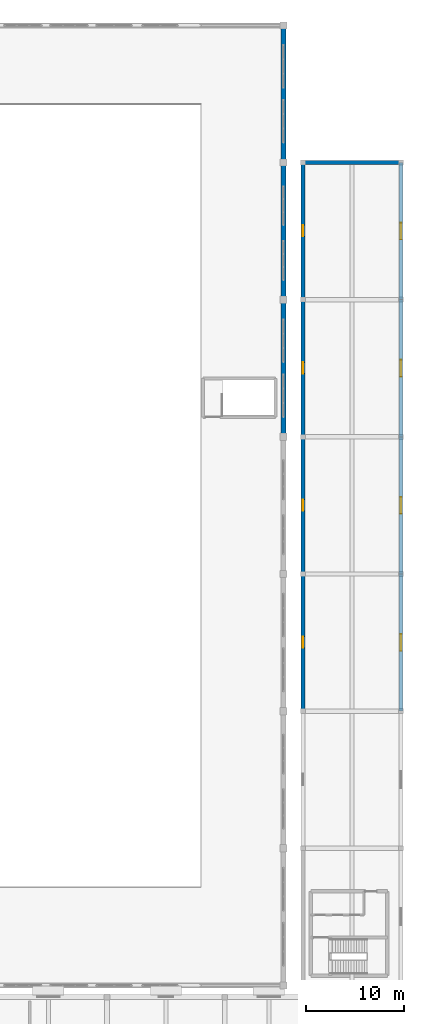
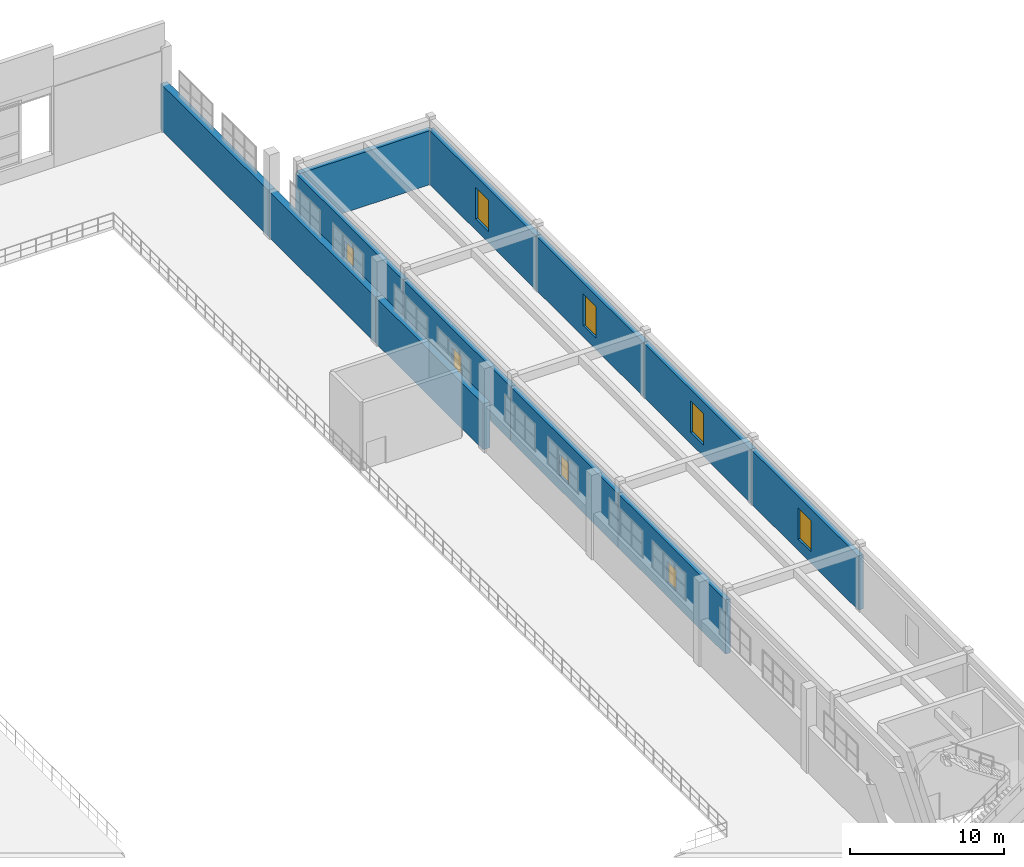
# One storey, part 181 of 197: 12 walls, 8 windows, 8 openings.
"""IFC4 building model written with IfcOpenShell, lengths in metres."""

import ifcopenshell
import ifcopenshell.guid

model = None  # the IFC model being written
_history = None  # IfcOwnerHistory: only IFC2X3 demands one
_inside = {}  # id of a spatial element -> (the spatial element, [elements in it])
_under = {}  # id of a project, library or spatial element -> (it, [spatial elements below it])
_declared = {}  # id of a project -> (the project, [libraries it declares])
_typed = {}  # id of a type object -> (the type object, [elements of that type])
_made_of = {}  # id of a material, layer set ... -> (it, [elements and type objects made of it])


def new_model(schema):
    """Start an empty IFC model of exactly this schema.

    Asked for "IFC4X3", IfcOpenShell would pick the latest addendum, in which some entities
    have other attributes; the version numbers below select the first issue.
    IFC2X3 requires an IfcOwnerHistory on every rooted entity: one is made here for all.
    """
    global model, _history
    if schema == "IFC4X3":
        model = ifcopenshell.file(schema_version=(4, 3, 0, 0))
    else:
        model = ifcopenshell.file(schema=schema)
    _inside.clear()
    _under.clear()
    _declared.clear()
    _typed.clear()
    _made_of.clear()
    _history = None
    if model.schema == "IFC2X3":
        org = make("IfcOrganization", Name="unknown")
        user = make(
            "IfcPersonAndOrganization",
            ThePerson=make("IfcPerson", FamilyName="unknown"),
            TheOrganization=org,
        )
        app = make(
            "IfcApplication",
            ApplicationDeveloper=org,
            Version="unknown",
            ApplicationFullName="unknown",
            ApplicationIdentifier="unknown",
        )
        _history = make(
            "IfcOwnerHistory",
            OwningUser=user,
            OwningApplication=app,
            ChangeAction="ADDED",
            CreationDate=0,
        )
    return model


def make(cls, **values):
    """One entity of the class cls with the attributes given. An attribute that is None is left unset."""
    return model.create_entity(
        cls, **{name: value for name, value in values.items() if value is not None}
    )


def rooted(cls, **values):
    """An entity with a GlobalId (a new one), such as an element, a storey or a relation."""
    return make(cls, GlobalId=ifcopenshell.guid.new(), OwnerHistory=_history, **values)


def si_unit(unit_type, name, prefix=None):
    """IfcSIUnit, for example si_unit("LENGTHUNIT", "METRE", prefix="MILLI")."""
    return make("IfcSIUnit", UnitType=unit_type, Prefix=prefix, Name=name)


def derived_unit(unit_type, elements):
    """IfcDerivedUnit: a product of units, each with its exponent."""
    return make(
        "IfcDerivedUnit",
        Elements=[
            make("IfcDerivedUnitElement", Unit=unit, Exponent=power)
            for unit, power in elements
        ],
        UnitType=unit_type,
    )


def assignment(units):
    """IfcUnitAssignment: the units of a project."""
    return None if units is None else make("IfcUnitAssignment", Units=units)


def point(xyz):
    """IfcCartesianPoint."""
    return None if xyz is None else make("IfcCartesianPoint", Coordinates=xyz)


def direction(xyz):
    """IfcDirection."""
    return None if xyz is None else make("IfcDirection", DirectionRatios=xyz)


def frame(location, z_axis=None, x_axis=None):
    """IfcAxis2Placement3D, a coordinate frame: its origin and axes. An axis left out is left unset."""
    return make(
        "IfcAxis2Placement3D",
        Location=point(location),
        Axis=direction(z_axis),
        RefDirection=direction(x_axis),
    )


def frame_2d(location, x_axis=None):
    """IfcAxis2Placement2D, a coordinate frame in the plane: its origin and x axis."""
    return make(
        "IfcAxis2Placement2D", Location=point(location), RefDirection=direction(x_axis)
    )


def origin():
    """The frame at (0, 0, 0) with its axes left unset."""
    return frame((0.0, 0.0, 0.0))


def place(relative_to, where):
    """IfcLocalPlacement: puts the frame where relative to a parent placement (None: the world)."""
    return make(
        "IfcLocalPlacement", PlacementRelTo=relative_to, RelativePlacement=where
    )


def context(
    kind, dimensions, precision=None, world=None, true_north=None, identifier=None
):
    """IfcGeometricRepresentationContext, for example the 3D "Model" context."""
    return make(
        "IfcGeometricRepresentationContext",
        ContextIdentifier=identifier,
        ContextType=kind,
        CoordinateSpaceDimension=dimensions,
        Precision=precision,
        WorldCoordinateSystem=world,
        TrueNorth=true_north,
    )


def subcontext(parent, identifier, kind, view, scale=None):
    """IfcGeometricRepresentationSubContext, for example "Body" below "Model"."""
    return make(
        "IfcGeometricRepresentationSubContext",
        ContextIdentifier=identifier,
        ContextType=kind,
        ParentContext=parent,
        TargetScale=scale,
        TargetView=view,
    )


def project(units=None, contexts=None):
    """IfcProject with its units and contexts."""
    return rooted(
        "IfcProject",
        Name="project",
        RepresentationContexts=contexts,
        UnitsInContext=assignment(units),
    )


def spatial(cls, under=None, at=None, **own):
    """A site, building, storey or space (cls), placed at a placement, below another one or the project."""
    s = rooted(cls, ObjectPlacement=at, **own)
    if under is not None:
        _under.setdefault(under.id(), (under, []))[1].append(s)
    return s


def profile(cls, at=None, kind="AREA", **sizes):
    """A parametric profile (cls). Its sizes go by their IFC names, for example OverallWidth=200.0."""
    return make(cls, ProfileType=kind, Position=at, **sizes)


def rectangle(**sizes):
    """IfcRectangleProfileDef."""
    return profile("IfcRectangleProfileDef", **sizes)


def extrude(swept, where, along, depth):
    """IfcExtrudedAreaSolid: the profile swept, set in the frame where, extruded along a direction by depth."""
    return make(
        "IfcExtrudedAreaSolid",
        SweptArea=swept,
        Position=where,
        ExtrudedDirection=direction(along),
        Depth=depth,
    )


def shape(context_of_items, identifier, shape_type, items):
    """IfcShapeRepresentation: the items that make up one representation, for example the "Body"."""
    return make(
        "IfcShapeRepresentation",
        ContextOfItems=context_of_items,
        RepresentationIdentifier=identifier,
        RepresentationType=shape_type,
        Items=items,
    )


def material(Name=None, Category=None):
    """IfcMaterial."""
    return make("IfcMaterial", Name=Name, Category=Category)


def layer(
    of_material, thickness, ventilated=None, Name=None, Category=None, Priority=None
):
    """IfcMaterialLayer: one layer of a wall or slab, of a material (None: an air gap)."""
    return make(
        "IfcMaterialLayer",
        Material=of_material,
        LayerThickness=thickness,
        IsVentilated=ventilated,
        Name=Name,
        Category=Category,
        Priority=Priority,
    )


def layer_set(layers, Name=None):
    """IfcMaterialLayerSet."""
    return make("IfcMaterialLayerSet", MaterialLayers=layers, LayerSetName=Name)


def made_of(thing, what):
    """Note that an element or type object is made of a material, layer set ...; save() writes the relation."""
    if what is not None:
        _made_of.setdefault(what.id(), (what, []))[1].append(thing)
    return thing


def type_object(cls, material=None, **own):
    """A type object (cls), such as IfcWallType, which elements share."""
    return made_of(rooted(cls, **own), material)


def element(
    cls,
    number,
    at=None,
    inside=None,
    cuts=None,
    type_object=None,
    material=None,
    context=None,
    identifier="Body",
    shape_type=None,
    held_by="IfcProductDefinitionShape",
    body=None,
    shapes=None,
    **own,
):
    """One element of the class cls, such as IfcWall. Its Tag is "e" and its number.

    at: its placement. inside: the storey or other place that contains it. cuts: it is an
    opening in that element (IfcRelVoidsElement). A single representation is given by context,
    identifier, shape_type and body (its items); several are given by shapes. held_by: the class
    of the entity that holds the representations. save() writes the other relations.
    """
    e = rooted(cls, Tag="e%d" % number, ObjectPlacement=at, **own)
    if body is not None:
        shapes = [shape(context, identifier, shape_type, body)]
    if shapes is not None:
        e.Representation = make(held_by, Representations=shapes)
    if inside is not None:
        _inside.setdefault(inside.id(), (inside, []))[1].append(e)
    if cuts is not None:
        rooted(
            "IfcRelVoidsElement", RelatingBuildingElement=cuts, RelatedOpeningElement=e
        )
    if type_object is not None:
        _typed.setdefault(type_object.id(), (type_object, []))[1].append(e)
    return made_of(e, material)


def fill(opening, filler):
    """IfcRelFillsElement: the door or window that sits in an opening."""
    return rooted(
        "IfcRelFillsElement",
        RelatingOpeningElement=opening,
        RelatedBuildingElement=filler,
    )


def aggregate(whole, parts):
    """IfcRelAggregates: a whole, such as a stair, and the parts it consists of."""
    return rooted("IfcRelAggregates", RelatingObject=whole, RelatedObjects=parts)


def save(model, path):
    """Write the relations noted so far, then the file.

    IfcRelAggregates (storeys below a building ...), IfcRelContainedInSpatialStructure (elements
    in a storey), IfcRelDefinesByType, IfcRelAssociatesMaterial and IfcRelDeclares: one each for
    every whole, place, type object, material and project.
    """
    for whole, parts in _under.values():
        aggregate(whole, parts)
    for where, things in _inside.values():
        rooted(
            "IfcRelContainedInSpatialStructure",
            RelatedElements=things,
            RelatingStructure=where,
        )
    for kind, things in _typed.values():
        rooted("IfcRelDefinesByType", RelatedObjects=things, RelatingType=kind)
    for what, things in _made_of.values():
        rooted("IfcRelAssociatesMaterial", RelatedObjects=things, RelatingMaterial=what)
    for by, libraries in _declared.values():
        rooted("IfcRelDeclares", RelatingContext=by, RelatedDefinitions=libraries)
    model.write(path)


model = new_model("IFC4")

# Units and contexts
model_context = context("Model", 3, precision=1e-05, world=origin(), true_north=direction((0.0, 1.0)))
body_context = subcontext(model_context, "Body", "Model", "MODEL_VIEW")
ifc_project = project(units=[si_unit("LENGTHUNIT", "METRE"), si_unit("AREAUNIT", "SQUARE_METRE"), si_unit("VOLUMEUNIT", "CUBIC_METRE"), si_unit("PLANEANGLEUNIT", "RADIAN"), si_unit("MASSUNIT", "GRAM", prefix="KILO"), derived_unit("THERMALTRANSMITTANCEUNIT", [(si_unit("POWERUNIT", "WATT"), 1), (si_unit("LENGTHUNIT", "METRE"), -2), (si_unit("THERMODYNAMICTEMPERATUREUNIT", "KELVIN"), -1)])], contexts=[model_context])

# Site, building, storey
site_placement = place(None, origin())
site = spatial("IfcSite", under=ifc_project, at=site_placement, CompositionType="ELEMENT")
building_placement = place(site_placement, origin())
building = spatial("IfcBuilding", under=site, at=building_placement, Name="Almenara Railside Exhibition Hall", CompositionType="ELEMENT")
storey_placement = place(building_placement, frame((0.0, 0.0, 5.39990234375)))
storey = spatial("IfcBuildingStorey", under=building, at=storey_placement, Name="L01", CompositionType="ELEMENT", Elevation=5.39990234375)

# Wall, opening, window
ifc_material_1 = material(Name="Ochre-white lime-rendered masonry over Concrete C35/45", Category="masonry")
ifc_layer_1 = layer(ifc_material_1, 0.385009765625, Name="Ochre-white lime-rendered masonry over Concrete C35/45")
ifc_layer_set_1 = layer_set([ifc_layer_1], Name="Ochre-white lime-rendered masonry over Concrete C35/45")
wall_type_1 = type_object("IfcWallType", Name="Exterior Arcade Spandrel Wall 385mm C35/45", PredefinedType="SOLIDWALL", material=ifc_layer_set_1)
wall_1_placement = place(storey_placement, frame((204.0, 62.0, 0.0), z_axis=(0.0, 0.0, 1.0), x_axis=(0.0, 1.0, 0.0)))
wall_1 = element("IfcWall", 1, at=wall_1_placement, inside=storey, type_object=wall_type_1, Name="Exterior wall 0234", PredefinedType="SOLIDWALL", context=body_context, shape_type="SweptSolid", body=[
    extrude(rectangle(XDim=14.0, YDim=0.385009765625, at=frame_2d((7.0, 0.0))), origin(), (0.0, 0.0, 1.0), 4.300048828125),
])
opening_1_placement = place(wall_1_placement, frame((6.14990234375, 0.0, 0.89990234375)))
opening_1 = element("IfcOpeningElement", 2, at=opening_1_placement, cuts=wall_1, Name="Opening W-06", PredefinedType="OPENING", context=body_context, shape_type="SweptSolid", body=[
    extrude(rectangle(XDim=1.699951171875, YDim=2.5, at=frame_2d((0.85009765625, 1.25))), frame((0.0, 0.202392578125, 0.0), z_axis=(0.0, -1.0, 0.0), x_axis=(1.0, 0.0, 0.0)), (0.0, 0.0, 1.0), 0.405029296875),
])
ifc_material_2 = material(Name="Bronze-anodised aluminium and low-E double glazing", Category="aluminium")
window_type_1 = type_object("IfcWindowType", Name="East Gallery Arched Window 1700x2500", PartitioningType="DOUBLE_PANEL_VERTICAL", PredefinedType="WINDOW", material=ifc_material_2)
window_1_placement = place(opening_1_placement, origin())
window_1 = element("IfcWindow", 3, at=window_1_placement, inside=storey, type_object=window_type_1, Name="Window 0085", OverallHeight=2.5, OverallWidth=1.699951171875, PartitioningType="DOUBLE_PANEL_VERTICAL", PredefinedType="WINDOW", context=body_context, shape_type="SweptSolid", body=[
    extrude(rectangle(XDim=1.699951171875, YDim=2.5, at=frame_2d((0.85009765625, 1.25))), frame((0.0, 0.030029296875, 0.0), z_axis=(0.0, -1.0, 0.0), x_axis=(1.0, 0.0, 0.0)), (0.0, 0.0, 1.0), 0.06005859375),
])
fill(opening_1, window_1)

wall_2_placement = place(storey_placement, frame((194.0, 76.0, 0.0), z_axis=(0.0, 0.0, 1.0), x_axis=(0.0, -1.0, 0.0)))
wall_2 = element("IfcWall", 4, at=wall_2_placement, inside=storey, type_object=wall_type_1, Name="Exterior wall 0235", PredefinedType="SOLIDWALL", context=body_context, shape_type="SweptSolid", body=[
    extrude(rectangle(XDim=14.0, YDim=0.385009765625, at=frame_2d((7.0, 0.0))), origin(), (0.0, 0.0, 1.0), 4.300048828125),
])
opening_2_placement = place(wall_2_placement, frame((6.39990234375, 0.0, 1.10009765625)))
opening_2 = element("IfcOpeningElement", 5, at=opening_2_placement, cuts=wall_2, Name="Opening W-11", PredefinedType="OPENING", context=body_context, shape_type="SweptSolid", body=[
    extrude(rectangle(XDim=1.14990234375, YDim=1.699951171875, at=frame_2d((0.574951171875, 0.85009765625))), frame((0.0, 0.202392578125, 0.0), z_axis=(0.0, -1.0, 0.0), x_axis=(1.0, 0.0, 0.0)), (0.0, 0.0, 1.0), 0.405029296875),
])
window_type_2 = type_object("IfcWindowType", Name="South Gallery Punched Window 1150x1700", PartitioningType="SINGLE_PANEL", PredefinedType="WINDOW", material=ifc_material_2)
window_2_placement = place(opening_2_placement, origin())
window_2 = element("IfcWindow", 6, at=window_2_placement, inside=storey, type_object=window_type_2, Name="Window 0086", OverallHeight=1.699951171875, OverallWidth=1.14990234375, PartitioningType="SINGLE_PANEL", PredefinedType="WINDOW", context=body_context, shape_type="SweptSolid", body=[
    extrude(rectangle(XDim=1.14990234375, YDim=1.699951171875, at=frame_2d((0.574951171875, 0.85009765625))), frame((0.0, 0.030029296875, 0.0), z_axis=(0.0, -1.0, 0.0), x_axis=(1.0, 0.0, 0.0)), (0.0, 0.0, 1.0), 0.06005859375),
])
fill(opening_2, window_2)

wall_3_placement = place(storey_placement, frame((204.0, 76.0, 0.0), z_axis=(0.0, 0.0, 1.0), x_axis=(0.0, 1.0, 0.0)))
wall_3 = element("IfcWall", 7, at=wall_3_placement, inside=storey, type_object=wall_type_1, Name="Exterior wall 0236", PredefinedType="SOLIDWALL", context=body_context, shape_type="SweptSolid", body=[
    extrude(rectangle(XDim=14.0, YDim=0.385009765625, at=frame_2d((7.0, 0.0))), origin(), (0.0, 0.0, 1.0), 4.300048828125),
])
opening_3_placement = place(wall_3_placement, frame((6.14990234375, 0.0, 0.89990234375)))
opening_3 = element("IfcOpeningElement", 8, at=opening_3_placement, cuts=wall_3, Name="Opening W-06", PredefinedType="OPENING", context=body_context, shape_type="SweptSolid", body=[
    extrude(rectangle(XDim=1.699951171875, YDim=2.5, at=frame_2d((0.85009765625, 1.25))), frame((0.0, 0.202392578125, 0.0), z_axis=(0.0, -1.0, 0.0), x_axis=(1.0, 0.0, 0.0)), (0.0, 0.0, 1.0), 0.405029296875),
])
window_3_placement = place(opening_3_placement, origin())
window_3 = element("IfcWindow", 9, at=window_3_placement, inside=storey, type_object=window_type_1, Name="Window 0087", OverallHeight=2.5, OverallWidth=1.699951171875, PartitioningType="DOUBLE_PANEL_VERTICAL", PredefinedType="WINDOW", context=body_context, shape_type="SweptSolid", body=[
    extrude(rectangle(XDim=1.699951171875, YDim=2.5, at=frame_2d((0.85009765625, 1.25))), frame((0.0, 0.030029296875, 0.0), z_axis=(0.0, -1.0, 0.0), x_axis=(1.0, 0.0, 0.0)), (0.0, 0.0, 1.0), 0.06005859375),
])
fill(opening_3, window_3)

wall_4_placement = place(storey_placement, frame((194.0, 90.0, 0.0), z_axis=(0.0, 0.0, 1.0), x_axis=(0.0, -1.0, 0.0)))
wall_4 = element("IfcWall", 10, at=wall_4_placement, inside=storey, type_object=wall_type_1, Name="Exterior wall 0237", PredefinedType="SOLIDWALL", context=body_context, shape_type="SweptSolid", body=[
    extrude(rectangle(XDim=14.0, YDim=0.385009765625, at=frame_2d((7.0, 0.0))), origin(), (0.0, 0.0, 1.0), 4.300048828125),
])
opening_4_placement = place(wall_4_placement, frame((6.39990234375, 0.0, 1.10009765625)))
opening_4 = element("IfcOpeningElement", 11, at=opening_4_placement, cuts=wall_4, Name="Opening W-11", PredefinedType="OPENING", context=body_context, shape_type="SweptSolid", body=[
    extrude(rectangle(XDim=1.14990234375, YDim=1.699951171875, at=frame_2d((0.574951171875, 0.85009765625))), frame((0.0, 0.202392578125, 0.0), z_axis=(0.0, -1.0, 0.0), x_axis=(1.0, 0.0, 0.0)), (0.0, 0.0, 1.0), 0.405029296875),
])
window_4_placement = place(opening_4_placement, origin())
window_4 = element("IfcWindow", 12, at=window_4_placement, inside=storey, type_object=window_type_2, Name="Window 0088", OverallHeight=1.699951171875, OverallWidth=1.14990234375, PartitioningType="SINGLE_PANEL", PredefinedType="WINDOW", context=body_context, shape_type="SweptSolid", body=[
    extrude(rectangle(XDim=1.14990234375, YDim=1.699951171875, at=frame_2d((0.574951171875, 0.85009765625))), frame((0.0, 0.030029296875, 0.0), z_axis=(0.0, -1.0, 0.0), x_axis=(1.0, 0.0, 0.0)), (0.0, 0.0, 1.0), 0.06005859375),
])
fill(opening_4, window_4)

wall_5_placement = place(storey_placement, frame((204.0, 90.0, 0.0), z_axis=(0.0, 0.0, 1.0), x_axis=(0.0, 1.0, 0.0)))
wall_5 = element("IfcWall", 13, at=wall_5_placement, inside=storey, type_object=wall_type_1, Name="Exterior wall 0238", PredefinedType="SOLIDWALL", context=body_context, shape_type="SweptSolid", body=[
    extrude(rectangle(XDim=14.0, YDim=0.385009765625, at=frame_2d((7.0, 0.0))), origin(), (0.0, 0.0, 1.0), 4.300048828125),
])
opening_5_placement = place(wall_5_placement, frame((6.14990234375, 0.0, 0.89990234375)))
opening_5 = element("IfcOpeningElement", 14, at=opening_5_placement, cuts=wall_5, Name="Opening W-06", PredefinedType="OPENING", context=body_context, shape_type="SweptSolid", body=[
    extrude(rectangle(XDim=1.699951171875, YDim=2.5, at=frame_2d((0.85009765625, 1.25))), frame((0.0, 0.202392578125, 0.0), z_axis=(0.0, -1.0, 0.0), x_axis=(1.0, 0.0, 0.0)), (0.0, 0.0, 1.0), 0.405029296875),
])
window_5_placement = place(opening_5_placement, origin())
window_5 = element("IfcWindow", 15, at=window_5_placement, inside=storey, type_object=window_type_1, Name="Window 0089", OverallHeight=2.5, OverallWidth=1.699951171875, PartitioningType="DOUBLE_PANEL_VERTICAL", PredefinedType="WINDOW", context=body_context, shape_type="SweptSolid", body=[
    extrude(rectangle(XDim=1.699951171875, YDim=2.5, at=frame_2d((0.85009765625, 1.25))), frame((0.0, 0.030029296875, 0.0), z_axis=(0.0, -1.0, 0.0), x_axis=(1.0, 0.0, 0.0)), (0.0, 0.0, 1.0), 0.06005859375),
])
fill(opening_5, window_5)

wall_6_placement = place(storey_placement, frame((194.0, 104.0, 0.0), z_axis=(0.0, 0.0, 1.0), x_axis=(0.0, -1.0, 0.0)))
wall_6 = element("IfcWall", 16, at=wall_6_placement, inside=storey, type_object=wall_type_1, Name="Exterior wall 0239", PredefinedType="SOLIDWALL", context=body_context, shape_type="SweptSolid", body=[
    extrude(rectangle(XDim=14.0, YDim=0.385009765625, at=frame_2d((7.0, 0.0))), origin(), (0.0, 0.0, 1.0), 4.300048828125),
])
opening_6_placement = place(wall_6_placement, frame((6.39990234375, 0.0, 1.10009765625)))
opening_6 = element("IfcOpeningElement", 17, at=opening_6_placement, cuts=wall_6, Name="Opening W-11", PredefinedType="OPENING", context=body_context, shape_type="SweptSolid", body=[
    extrude(rectangle(XDim=1.14990234375, YDim=1.699951171875, at=frame_2d((0.574951171875, 0.85009765625))), frame((0.0, 0.202392578125, 0.0), z_axis=(0.0, -1.0, 0.0), x_axis=(1.0, 0.0, 0.0)), (0.0, 0.0, 1.0), 0.405029296875),
])
window_6_placement = place(opening_6_placement, origin())
window_6 = element("IfcWindow", 18, at=window_6_placement, inside=storey, type_object=window_type_2, Name="Window 0090", OverallHeight=1.699951171875, OverallWidth=1.14990234375, PartitioningType="SINGLE_PANEL", PredefinedType="WINDOW", context=body_context, shape_type="SweptSolid", body=[
    extrude(rectangle(XDim=1.14990234375, YDim=1.699951171875, at=frame_2d((0.574951171875, 0.85009765625))), frame((0.0, 0.030029296875, 0.0), z_axis=(0.0, -1.0, 0.0), x_axis=(1.0, 0.0, 0.0)), (0.0, 0.0, 1.0), 0.06005859375),
])
fill(opening_6, window_6)

wall_7_placement = place(storey_placement, frame((204.0, 104.0, 0.0), z_axis=(0.0, 0.0, 1.0), x_axis=(0.0, 1.0, 0.0)))
wall_7 = element("IfcWall", 19, at=wall_7_placement, inside=storey, type_object=wall_type_1, Name="Exterior wall 0240", PredefinedType="SOLIDWALL", context=body_context, shape_type="SweptSolid", body=[
    extrude(rectangle(XDim=14.0, YDim=0.385009765625, at=frame_2d((7.0, 0.0))), origin(), (0.0, 0.0, 1.0), 4.300048828125),
])
opening_7_placement = place(wall_7_placement, frame((6.14990234375, 0.0, 0.89990234375)))
opening_7 = element("IfcOpeningElement", 20, at=opening_7_placement, cuts=wall_7, Name="Opening W-06", PredefinedType="OPENING", context=body_context, shape_type="SweptSolid", body=[
    extrude(rectangle(XDim=1.699951171875, YDim=2.5, at=frame_2d((0.85009765625, 1.25))), frame((0.0, 0.202392578125, 0.0), z_axis=(0.0, -1.0, 0.0), x_axis=(1.0, 0.0, 0.0)), (0.0, 0.0, 1.0), 0.405029296875),
])
window_7_placement = place(opening_7_placement, origin())
window_7 = element("IfcWindow", 21, at=window_7_placement, inside=storey, type_object=window_type_1, Name="Window 0091", OverallHeight=2.5, OverallWidth=1.699951171875, PartitioningType="DOUBLE_PANEL_VERTICAL", PredefinedType="WINDOW", context=body_context, shape_type="SweptSolid", body=[
    extrude(rectangle(XDim=1.699951171875, YDim=2.5, at=frame_2d((0.85009765625, 1.25))), frame((0.0, 0.030029296875, 0.0), z_axis=(0.0, -1.0, 0.0), x_axis=(1.0, 0.0, 0.0)), (0.0, 0.0, 1.0), 0.06005859375),
])
fill(opening_7, window_7)

wall_8_placement = place(storey_placement, frame((194.0, 118.0, 0.0), z_axis=(0.0, 0.0, 1.0), x_axis=(0.0, -1.0, 0.0)))
wall_8 = element("IfcWall", 22, at=wall_8_placement, inside=storey, type_object=wall_type_1, Name="Exterior wall 0241", PredefinedType="SOLIDWALL", context=body_context, shape_type="SweptSolid", body=[
    extrude(rectangle(XDim=14.0, YDim=0.385009765625, at=frame_2d((7.0, 0.0))), origin(), (0.0, 0.0, 1.0), 4.300048828125),
])
opening_8_placement = place(wall_8_placement, frame((6.39990234375, 0.0, 1.10009765625)))
opening_8 = element("IfcOpeningElement", 23, at=opening_8_placement, cuts=wall_8, Name="Opening W-11", PredefinedType="OPENING", context=body_context, shape_type="SweptSolid", body=[
    extrude(rectangle(XDim=1.14990234375, YDim=1.699951171875, at=frame_2d((0.574951171875, 0.85009765625))), frame((0.0, 0.202392578125, 0.0), z_axis=(0.0, -1.0, 0.0), x_axis=(1.0, 0.0, 0.0)), (0.0, 0.0, 1.0), 0.405029296875),
])
window_8_placement = place(opening_8_placement, origin())
window_8 = element("IfcWindow", 24, at=window_8_placement, inside=storey, type_object=window_type_2, Name="Window 0092", OverallHeight=1.699951171875, OverallWidth=1.14990234375, PartitioningType="SINGLE_PANEL", PredefinedType="WINDOW", context=body_context, shape_type="SweptSolid", body=[
    extrude(rectangle(XDim=1.14990234375, YDim=1.699951171875, at=frame_2d((0.574951171875, 0.85009765625))), frame((0.0, 0.030029296875, 0.0), z_axis=(0.0, -1.0, 0.0), x_axis=(1.0, 0.0, 0.0)), (0.0, 0.0, 1.0), 0.06005859375),
])
fill(opening_8, window_8)

# Walls
wall_9_placement = place(storey_placement, frame((204.0, 118.0, 0.0), z_axis=(0.0, 0.0, 1.0), x_axis=(-1.0, 0.0, 0.0)))
element("IfcWall", 25, at=wall_9_placement, inside=storey, type_object=wall_type_1, Name="Exterior wall 0243", PredefinedType="SOLIDWALL", context=body_context, shape_type="SweptSolid", body=[
    extrude(rectangle(XDim=10.0, YDim=0.385009765625, at=frame_2d((5.0, 0.0))), origin(), (0.0, 0.0, 1.0), 4.300048828125),
])
ifc_layer_2 = layer(ifc_material_1, 0.510009765625, Name="Ochre-white lime-rendered masonry over Concrete C35/45")
ifc_layer_set_2 = layer_set([ifc_layer_2], Name="Ochre-white lime-rendered masonry over Concrete C35/45")
wall_type_2 = type_object("IfcWallType", Name="Exterior East Hall Thermal Wall 510mm C35/45", PredefinedType="SOLIDWALL", material=ifc_layer_set_2)
for number, where, z_axis, x_axis, name in (
    (26, (192.0, 90.0, 0.0), (0.0, 0.0, 1.0), (0.0, 1.0, 0.0), "Exterior wall 0087"),
    (27, (192.0, 104.0, 0.0), (0.0, 0.0, 1.0), (0.0, 1.0, 0.0), "Exterior wall 0091"),
    (28, (192.0, 118.0, 0.0), (0.0, 0.0, 1.0), (0.0, 1.0, 0.0), "Exterior wall 0095"),
):
    element("IfcWall", number, at=place(storey_placement, frame(where, z_axis=z_axis, x_axis=x_axis)), inside=storey, type_object=wall_type_2, Name=name, PredefinedType="SOLIDWALL", context=body_context, shape_type="SweptSolid", body=[
        extrude(rectangle(XDim=14.0, YDim=0.510009765625, at=frame_2d((7.0, 0.0))), origin(), (0.0, 0.0, 1.0), 3.650146484375),
    ])

save(model, "model.ifc")
